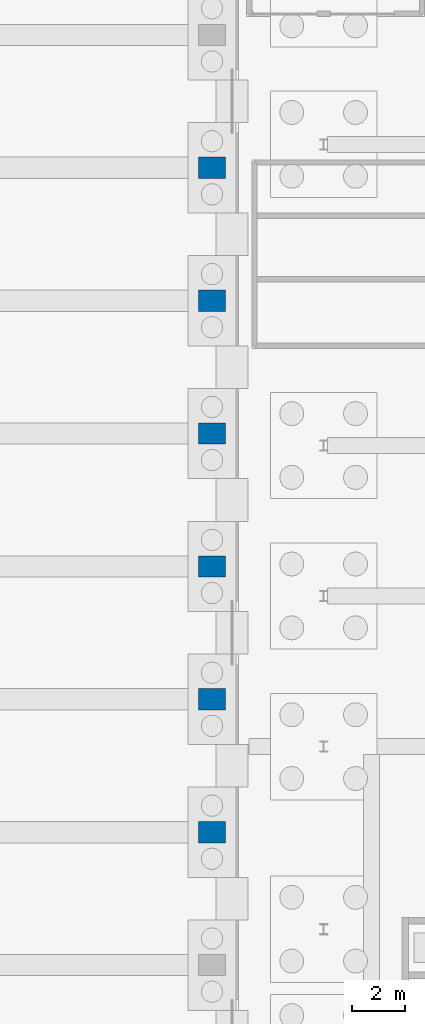
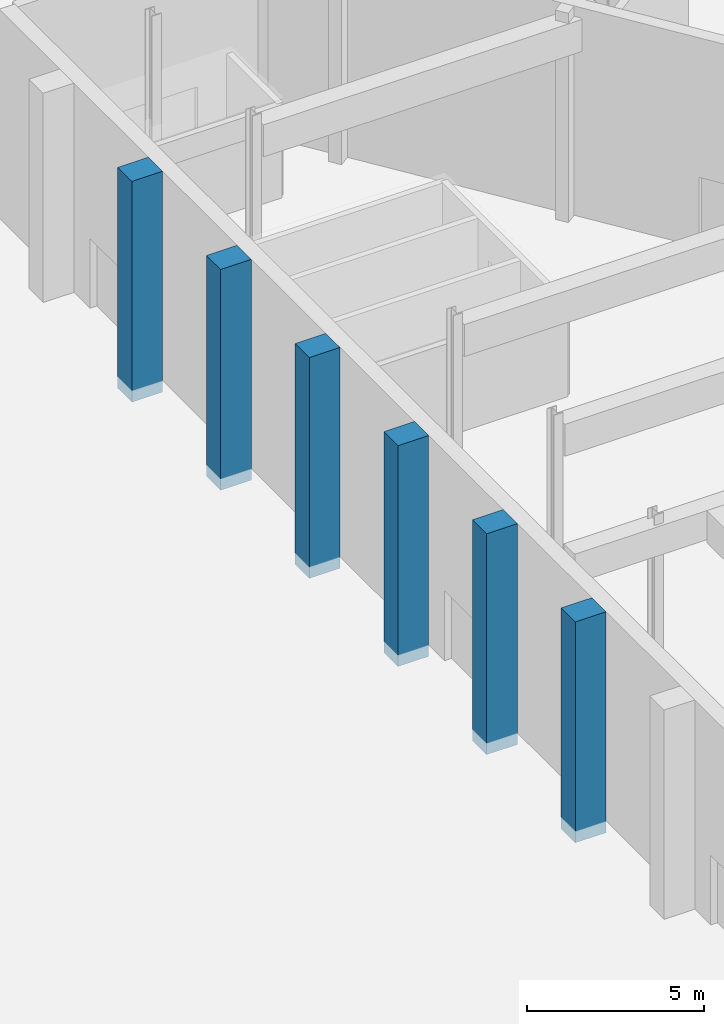
# One storey, part 39 of 239: 6 columns.
"""IFC4 building model written with IfcOpenShell, lengths in metres."""

from ifc_helpers import new_model, si_unit, direction, frame, origin, origin_2d, place, context, subcontext, project, spatial, rectangle, extrude, material, material_profile, profile_set, type_object, element, save


model = new_model("IFC4")

# Units and contexts
model_context = context("Model", 3, precision=1e-05, world=origin(), true_north=direction((0.0, 1.0)))
body_context = subcontext(model_context, "Body", "Model", "MODEL_VIEW")
ifc_project = project(units=[si_unit("LENGTHUNIT", "METRE"), si_unit("AREAUNIT", "SQUARE_METRE"), si_unit("VOLUMEUNIT", "CUBIC_METRE"), si_unit("PLANEANGLEUNIT", "RADIAN"), si_unit("MASSUNIT", "GRAM", prefix="KILO")], contexts=[model_context])

# Site, building, storey
site_placement = place(None, origin())
site = spatial("IfcSite", under=ifc_project, at=site_placement, CompositionType="ELEMENT")
building_placement = place(site_placement, origin())
building = spatial("IfcBuilding", under=site, at=building_placement, Name="Okhra Congress Centre", CompositionType="ELEMENT")
storey_placement = place(building_placement, origin())
storey = spatial("IfcBuildingStorey", under=building, at=storey_placement, Name="L00", CompositionType="ELEMENT", Elevation=0.0)

# Columns
ifc_material = material(Name="Concrete C40/50", Category="concrete")
ifc_material_profile = material_profile(ifc_material, rectangle(XDim=1.0, YDim=0.800048828125, at=origin_2d()), Name="RC 1000x800")
ifc_profile_set = profile_set([ifc_material_profile], Name="Concrete C40/50")
column_type = type_object("IfcColumnType", Name="RC pier 1000x800 C40/50", PredefinedType="COLUMN", material=ifc_profile_set)
for number, where, z_axis, x_axis, name in (
    (1, (189.0, 166.0, -0.39990234375), (0.0, 0.0, 1.0), (1.0, 0.0, 0.0), "WG.COL.L00.pier-E18"),
    (2, (189.0, 171.0, -0.39990234375), (0.0, 0.0, 1.0), (1.0, 0.0, 0.0), "WG.COL.L00.pier-E19"),
    (3, (189.0, 176.0, -0.39990234375), (0.0, 0.0, 1.0), (1.0, 0.0, 0.0), "WG.COL.L00.pier-E20"),
    (4, (189.0, 181.0, -0.39990234375), (0.0, 0.0, 1.0), (1.0, 0.0, 0.0), "WG.COL.L00.pier-E21"),
    (5, (189.0, 186.0, -0.39990234375), (0.0, 0.0, 1.0), (1.0, 0.0, 0.0), "WG.COL.L00.pier-E22"),
    (6, (189.0, 191.0, -0.39990234375), (0.0, 0.0, 1.0), (1.0, 0.0, 0.0), "WG.COL.L00.pier-E23"),
):
    element("IfcColumn", number, at=place(storey_placement, frame(where, z_axis=z_axis, x_axis=x_axis)), inside=storey, type_object=column_type, Name=name, PredefinedType="COLUMN", context=body_context, shape_type="SweptSolid", body=[
        extrude(rectangle(XDim=1.0, YDim=0.800048828125, at=origin_2d()), origin(), (0.0, 0.0, 1.0), 7.599853515625),
    ])

save(model, "model.ifc")
